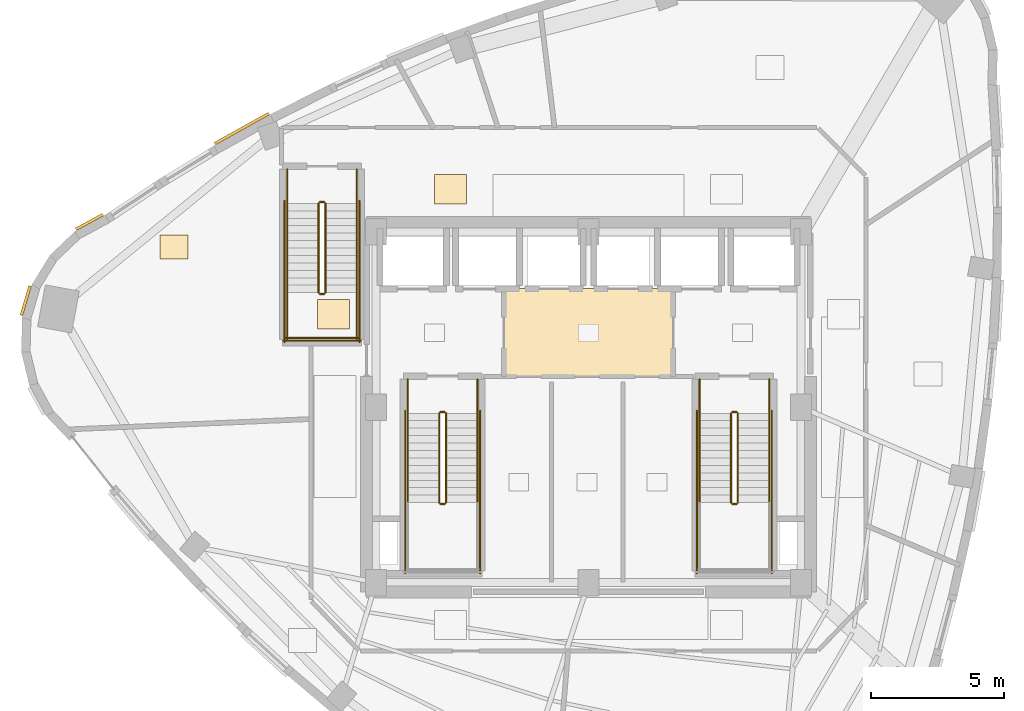
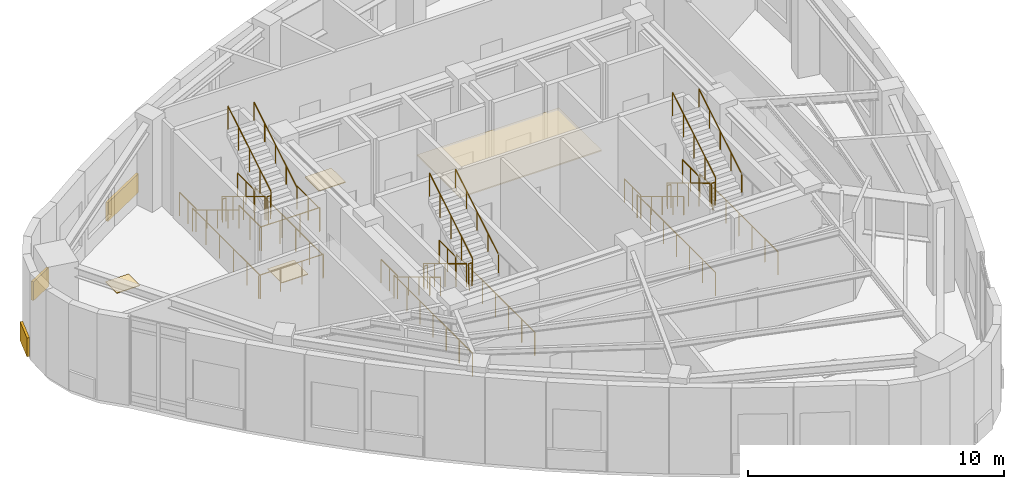
# One storey, part 13 of 14: 34 railings, 7 coverings.
"""IFC4 building model written with IfcOpenShell, lengths in metres."""

from ifc_helpers import new_model, si_unit, direction, frame, origin, origin_2d, place, context, subcontext, project, spatial, rectangle, circle, extrude, material, layer, layer_set, type_object, element, save


model = new_model("IFC4")

# Units and contexts
model_context = context("Model", 3, precision=1e-05, world=origin(), true_north=direction((0.0, 1.0)))
body_context = subcontext(model_context, "Body", "Model", "MODEL_VIEW")
ifc_project = project(units=[si_unit("LENGTHUNIT", "METRE"), si_unit("AREAUNIT", "SQUARE_METRE"), si_unit("VOLUMEUNIT", "CUBIC_METRE"), si_unit("PLANEANGLEUNIT", "RADIAN"), si_unit("MASSUNIT", "GRAM", prefix="KILO")], contexts=[model_context])

# Site, building, storey
site_placement = place(None, origin())
site = spatial("IfcSite", under=ifc_project, at=site_placement, CompositionType="ELEMENT")
building_placement = place(site_placement, origin())
building = spatial("IfcBuilding", under=site, at=building_placement, Name="Ndelora Gate Hotel", CompositionType="ELEMENT")
storey_placement = place(building_placement, frame((0.0, 0.0, 281.60009765625)))
storey = spatial("IfcBuildingStorey", under=building, at=storey_placement, Name="L70", CompositionType="ELEMENT", Elevation=281.60009765625)

# Coverings
ifc_material_1 = material(Name="Perforated Acoustic Gypsum Board", Category="gypsum")
ifc_layer_1 = layer(ifc_material_1, 0.054931640625)
ifc_layer_set_1 = layer_set([ifc_layer_1], Name="Perforated Acoustic Gypsum Board")
covering_type_1 = type_object("IfcCoveringType", Name="COV-CEIL-AC60", PredefinedType="CEILING", material=ifc_layer_set_1)
covering_1_placement = place(storey_placement, frame((0.0, 2.800048828125, 2.72265625), z_axis=(0.0, 0.0, 1.0), x_axis=(1.0, 0.0, 0.0)))
element("IfcCovering", 1, at=covering_1_placement, inside=storey, type_object=covering_type_1, Name="L70 Lift Lobby Acoustic Ceiling", PredefinedType="CEILING", context=body_context, shape_type="SweptSolid", body=[
    extrude(rectangle(XDim=6.39990234375, YDim=3.340087890625, at=origin_2d()), origin(), (0.0, 0.0, 1.0), 0.054931640625),
])
ifc_material_2 = material(Name="Terracotta Fired Clay Brick Slip Cladding", Category="masonry")
ifc_layer_2 = layer(ifc_material_2, 0.110107421875)
ifc_layer_set_2 = layer_set([ifc_layer_2], Name="Terracotta Fired Clay Brick Slip Cladding")
covering_type_2 = type_object("IfcCoveringType", Name="COV-CLAD-BRK", PredefinedType="CLADDING", material=ifc_layer_set_2)
for number, where, z_axis, x_axis, name in (
    (2, (-18.7822265625, 6.972900390625, 0.099853515625), (0.0, 0.0, 1.0), (0.878817112662, 0.47715876026, 0.0), "L70 Rounded-Corner Brick Cladding Band 1"),
    (3, (-21.1796875, 4.012451171875, 0.099853515625), (0.0, 0.0, 1.0), (0.284015344704, 0.958819734868, 0.0), "L70 Rounded-Corner Brick Cladding Band 4"),
):
    element("IfcCovering", number, at=place(storey_placement, frame(where, z_axis=z_axis, x_axis=x_axis)), inside=storey, type_object=covering_type_2, Name=name, PredefinedType="CLADDING", context=body_context, shape_type="SweptSolid", body=[
        extrude(rectangle(XDim=1.153076171875, YDim=0.110107421875, at=origin_2d()), origin(), (0.0, 0.0, 1.0), 0.89990234375),
    ])
covering_2_placement = place(storey_placement, frame((-13.046875, 10.4853515625, 0.099853515625), z_axis=(0.0, 0.0, 1.0), x_axis=(0.873941932872, 0.486030346756, 0.0)))
element("IfcCovering", 4, at=covering_2_placement, inside=storey, type_object=covering_type_2, Name="L70 Rounded-Corner Brick Cladding Band 58", PredefinedType="CLADDING", context=body_context, shape_type="SweptSolid", body=[
    extrude(rectangle(XDim=2.322021484375, YDim=0.110107421875, at=origin_2d()), origin(), (0.0, 0.0, 1.0), 0.89990234375),
])
ifc_material_3 = material(Name="Engineered Highland Oak Parquet", Category="wood")
ifc_layer_3 = layer(ifc_material_3, 0.030029296875)
ifc_layer_set_3 = layer_set([ifc_layer_3], Name="Engineered Highland Oak Parquet")
covering_type_3 = type_object("IfcCoveringType", Name="COV-FLR-PARQ", PredefinedType="FLOORING", material=ifc_layer_set_3)
covering_3_placement = place(storey_placement, frame((-15.602783203125, 6.021484375, 0.0), z_axis=(0.0, 0.0, 1.0), x_axis=(1.0, 0.0, 0.0)))
element("IfcCovering", 5, at=covering_3_placement, inside=storey, type_object=covering_type_3, Name="L70 Sky Garden Tea Dining Room Oak Parquet Flooring", PredefinedType="FLOORING", context=body_context, shape_type="SweptSolid", body=[
    extrude(rectangle(XDim=1.050048828125, YDim=0.89990234375, at=origin_2d()), origin(), (0.0, 0.0, 1.0), 0.030029296875),
])
ifc_material_4 = material(Name="Polished Highland Stone Terrazzo", Category="masonry")
ifc_layer_4 = layer(ifc_material_4, 0.034912109375)
ifc_layer_set_4 = layer_set([ifc_layer_4], Name="Polished Highland Stone Terrazzo")
covering_type_4 = type_object("IfcCoveringType", Name="COV-FLR-TERZ", PredefinedType="FLOORING", material=ifc_layer_set_4)
for number, where, z_axis, x_axis, name in (
    (6, (-5.199951171875, 8.199951171875, 0.0), (0.0, 0.0, 1.0), (1.0, 0.0, 0.0), "L70 Corridor Threshold Terrazzo Inlay NW"),
    (7, (-9.60009765625, 3.5, 0.0), (0.0, 0.0, 1.0), (1.0, 0.0, 0.0), "L70 Corridor Threshold Terrazzo Inlay W"),
):
    element("IfcCovering", number, at=place(storey_placement, frame(where, z_axis=z_axis, x_axis=x_axis)), inside=storey, type_object=covering_type_4, Name=name, PredefinedType="FLOORING", context=body_context, shape_type="SweptSolid", body=[
        extrude(rectangle(XDim=1.199951171875, YDim=1.10009765625, at=origin_2d()), origin(), (0.0, 0.0, 1.0), 0.034912109375),
    ])

# Railings
ifc_material_5 = material(Name="Painted Galvanized Steel Balustrade", Category="steel")
ifc_layer_5 = layer(ifc_material_5, 0.06005859375)
ifc_layer_set_5 = layer_set([ifc_layer_5], Name="Painted Galvanized Steel Balustrade")
railing_type_1 = type_object("IfcRailingType", Name="RL-STAIR-GD", PredefinedType="GUARDRAIL", material=ifc_layer_set_5)
railing_1_placement = place(storey_placement, frame((-5.6201171875, -0.22998046875, 0.169189453125)))
element("IfcRailing", 8, at=railing_1_placement, inside=storey, type_object=railing_type_1, Name="L70 ST4 stair guard 1", PredefinedType="GUARDRAIL", context=body_context, shape_type="SweptSolid", body=[
    extrude(circle(Radius=0.02392578125, at=origin_2d()), frame((0.0, 0.0, 1.10595703125), z_axis=(0.0, -0.855836976705, 0.517245656632), x_axis=(1.0, 0.0, 0.0)), (0.0, 0.0, 1.0), 3.926025390625),
    extrude(circle(Radius=0.02099609375, at=origin_2d()), origin(), (0.0, 0.0, 1.0), 1.081787109375),
    extrude(circle(Radius=0.02099609375, at=origin_2d()), frame((0.0, -0.840087890625, 0.5078125)), (0.0, 0.0, 1.0), 1.081787109375),
    extrude(circle(Radius=0.02099609375, at=origin_2d()), frame((0.0, -1.68017578125, 1.015380859375)), (0.0, 0.0, 1.0), 1.081787109375),
    extrude(circle(Radius=0.02099609375, at=origin_2d()), frame((0.0, -2.52001953125, 1.52294921875)), (0.0, 0.0, 1.0), 1.081787109375),
    extrude(circle(Radius=0.02099609375, at=origin_2d()), frame((0.0, -3.360107421875, 2.03076171875)), (0.0, 0.0, 1.0), 1.081787109375),
])
railing_2_placement = place(storey_placement, frame((-5.570068359375, -3.639892578125, 2.199951171875)))
element("IfcRailing", 9, at=railing_2_placement, inside=storey, type_object=railing_type_1, Name="L70 ST4 stair guard 2", PredefinedType="GUARDRAIL", context=body_context, shape_type="SweptSolid", body=[
    extrude(circle(Radius=0.02392578125, at=origin_2d()), frame((0.0, 0.0, 1.10595703125), z_axis=(1.0, 0.0, 0.0), x_axis=(0.0, 1.0, 0.0)), (0.0, 0.0, 1.0), 0.16015625),
    extrude(circle(Radius=0.02099609375, at=origin_2d()), origin(), (0.0, 0.0, 1.0), 1.081787109375),
    extrude(circle(Radius=0.02099609375, at=origin_2d()), frame((0.16015625, 0.0, 0.0)), (0.0, 0.0, 1.0), 1.081787109375),
])
railing_3_placement = place(storey_placement, frame((-5.360107421875, -3.590087890625, 2.369140625)))
element("IfcRailing", 10, at=railing_3_placement, inside=storey, type_object=railing_type_1, Name="L70 ST4 stair guard 6", PredefinedType="GUARDRAIL", context=body_context, shape_type="SweptSolid", body=[
    extrude(circle(Radius=0.02392578125, at=origin_2d()), frame((0.0, 0.0, 1.10595703125), z_axis=(0.0, 0.855836976705, 0.517245656632), x_axis=(-1.0, 0.0, 0.0)), (0.0, 0.0, 1.0), 3.926025390625),
    extrude(circle(Radius=0.02099609375, at=origin_2d()), origin(), (0.0, 0.0, 1.0), 1.081787109375),
    extrude(circle(Radius=0.02099609375, at=origin_2d()), frame((0.0, 0.840087890625, 0.5078125)), (0.0, 0.0, 1.0), 1.081787109375),
    extrude(circle(Radius=0.02099609375, at=origin_2d()), frame((0.0, 1.68017578125, 1.015380859375)), (0.0, 0.0, 1.0), 1.081787109375),
    extrude(circle(Radius=0.02099609375, at=origin_2d()), frame((0.0, 2.52001953125, 1.52294921875)), (0.0, 0.0, 1.0), 1.081787109375),
    extrude(circle(Radius=0.02099609375, at=origin_2d()), frame((0.0, 3.360107421875, 2.03076171875)), (0.0, 0.0, 1.0), 1.081787109375),
])
railing_4_placement = place(storey_placement, frame((-5.570068359375, -0.179931640625, 0.0)))
element("IfcRailing", 11, at=railing_4_placement, inside=storey, type_object=railing_type_1, Name="L70 ST4 stair guard 7", PredefinedType="GUARDRAIL", context=body_context, shape_type="SweptSolid", body=[
    extrude(circle(Radius=0.02392578125, at=origin_2d()), frame((0.0, 0.0, 1.10595703125), z_axis=(1.0, 0.0, 0.0), x_axis=(0.0, 1.0, 0.0)), (0.0, 0.0, 1.0), 0.16015625),
    extrude(circle(Radius=0.02099609375, at=origin_2d()), origin(), (0.0, 0.0, 1.0), 1.081787109375),
    extrude(circle(Radius=0.02099609375, at=origin_2d()), frame((0.16015625, 0.0, 0.0)), (0.0, 0.0, 1.0), 1.081787109375),
])
for number, where, name in (
    (12, (-6.800048828125, 1.050048828125, 0.0), "L70 ST4 stair guard 8"),
    (13, (-4.179931640625, 1.050048828125, 0.0), "L70 ST4 stair guard 9"),
):
    element("IfcRailing", number, at=place(storey_placement, frame(where)), inside=storey, type_object=railing_type_1, Name=name, PredefinedType="GUARDRAIL", context=body_context, shape_type="SweptSolid", body=[
        extrude(circle(Radius=0.02392578125, at=origin_2d()), frame((0.0, 0.0, 1.10595703125), z_axis=(0.0, -1.0, 0.0), x_axis=(1.0, 0.0, 0.0)), (0.0, 0.0, 1.0), 1.280029296875),
        extrude(circle(Radius=0.02099609375, at=origin_2d()), origin(), (0.0, 0.0, 1.0), 1.081787109375),
        extrude(circle(Radius=0.02099609375, at=origin_2d()), frame((0.0, -0.64013671875, 0.0)), (0.0, 0.0, 1.0), 1.081787109375),
        extrude(circle(Radius=0.02099609375, at=origin_2d()), frame((0.0, -1.280029296875, 0.0)), (0.0, 0.0, 1.0), 1.081787109375),
    ])
for number, where, name in (
    (14, (-6.89990234375, -0.1298828125, 0.0), "L70 ST4 stair guard 10"),
    (15, (-4.080078125, -0.1298828125, 0.0), "L70 ST4 stair guard 11"),
):
    element("IfcRailing", number, at=place(storey_placement, frame(where)), inside=storey, type_object=railing_type_1, Name=name, PredefinedType="GUARDRAIL", context=body_context, shape_type="SweptSolid", body=[
        extrude(circle(Radius=0.02392578125, at=origin_2d()), frame((0.0, 0.0, 1.10595703125), z_axis=(0.0, -1.0, 0.0), x_axis=(1.0, 0.0, 0.0)), (0.0, 0.0, 1.0), 6.1201171875),
        extrude(circle(Radius=0.02099609375, at=origin_2d()), origin(), (0.0, 0.0, 1.0), 1.081787109375),
        extrude(circle(Radius=0.02099609375, at=origin_2d()), frame((0.0, -1.02001953125, 0.0)), (0.0, 0.0, 1.0), 1.081787109375),
        extrude(circle(Radius=0.02099609375, at=origin_2d()), frame((0.0, -2.0400390625, 0.0)), (0.0, 0.0, 1.0), 1.081787109375),
        extrude(circle(Radius=0.02099609375, at=origin_2d()), frame((0.0, -3.06005859375, 0.0)), (0.0, 0.0, 1.0), 1.081787109375),
        extrude(circle(Radius=0.02099609375, at=origin_2d()), frame((0.0, -4.080078125, 0.0)), (0.0, 0.0, 1.0), 1.081787109375),
        extrude(circle(Radius=0.02099609375, at=origin_2d()), frame((0.0, -5.10009765625, 0.0)), (0.0, 0.0, 1.0), 1.081787109375),
        extrude(circle(Radius=0.02099609375, at=origin_2d()), frame((0.0, -6.1201171875, 0.0)), (0.0, 0.0, 1.0), 1.081787109375),
    ])
railing_5_placement = place(storey_placement, frame((5.360107421875, -0.22998046875, 0.169189453125)))
element("IfcRailing", 16, at=railing_5_placement, inside=storey, type_object=railing_type_1, Name="L70 ST5 stair guard 1", PredefinedType="GUARDRAIL", context=body_context, shape_type="SweptSolid", body=[
    extrude(circle(Radius=0.02392578125, at=origin_2d()), frame((0.0, 0.0, 1.10595703125), z_axis=(0.0, -0.855836976705, 0.517245656632), x_axis=(1.0, 0.0, 0.0)), (0.0, 0.0, 1.0), 3.926025390625),
    extrude(circle(Radius=0.02099609375, at=origin_2d()), origin(), (0.0, 0.0, 1.0), 1.081787109375),
    extrude(circle(Radius=0.02099609375, at=origin_2d()), frame((0.0, -0.840087890625, 0.5078125)), (0.0, 0.0, 1.0), 1.081787109375),
    extrude(circle(Radius=0.02099609375, at=origin_2d()), frame((0.0, -1.68017578125, 1.015380859375)), (0.0, 0.0, 1.0), 1.081787109375),
    extrude(circle(Radius=0.02099609375, at=origin_2d()), frame((0.0, -2.52001953125, 1.52294921875)), (0.0, 0.0, 1.0), 1.081787109375),
    extrude(circle(Radius=0.02099609375, at=origin_2d()), frame((0.0, -3.360107421875, 2.03076171875)), (0.0, 0.0, 1.0), 1.081787109375),
])
railing_6_placement = place(storey_placement, frame((5.409912109375, -3.639892578125, 2.199951171875)))
element("IfcRailing", 17, at=railing_6_placement, inside=storey, type_object=railing_type_1, Name="L70 ST5 stair guard 2", PredefinedType="GUARDRAIL", context=body_context, shape_type="SweptSolid", body=[
    extrude(circle(Radius=0.02392578125, at=origin_2d()), frame((0.0, 0.0, 1.10595703125), z_axis=(1.0, 0.0, 0.0), x_axis=(0.0, 1.0, 0.0)), (0.0, 0.0, 1.0), 0.16015625),
    extrude(circle(Radius=0.02099609375, at=origin_2d()), origin(), (0.0, 0.0, 1.0), 1.081787109375),
    extrude(circle(Radius=0.02099609375, at=origin_2d()), frame((0.16015625, 0.0, 0.0)), (0.0, 0.0, 1.0), 1.081787109375),
])
railing_7_placement = place(storey_placement, frame((5.6201171875, -3.590087890625, 2.369140625)))
element("IfcRailing", 18, at=railing_7_placement, inside=storey, type_object=railing_type_1, Name="L70 ST5 stair guard 6", PredefinedType="GUARDRAIL", context=body_context, shape_type="SweptSolid", body=[
    extrude(circle(Radius=0.02392578125, at=origin_2d()), frame((0.0, 0.0, 1.10595703125), z_axis=(0.0, 0.855836976705, 0.517245656632), x_axis=(-1.0, 0.0, 0.0)), (0.0, 0.0, 1.0), 3.926025390625),
    extrude(circle(Radius=0.02099609375, at=origin_2d()), origin(), (0.0, 0.0, 1.0), 1.081787109375),
    extrude(circle(Radius=0.02099609375, at=origin_2d()), frame((0.0, 0.840087890625, 0.5078125)), (0.0, 0.0, 1.0), 1.081787109375),
    extrude(circle(Radius=0.02099609375, at=origin_2d()), frame((0.0, 1.68017578125, 1.015380859375)), (0.0, 0.0, 1.0), 1.081787109375),
    extrude(circle(Radius=0.02099609375, at=origin_2d()), frame((0.0, 2.52001953125, 1.52294921875)), (0.0, 0.0, 1.0), 1.081787109375),
    extrude(circle(Radius=0.02099609375, at=origin_2d()), frame((0.0, 3.360107421875, 2.03076171875)), (0.0, 0.0, 1.0), 1.081787109375),
])
railing_8_placement = place(storey_placement, frame((5.409912109375, -0.179931640625, 0.0)))
element("IfcRailing", 19, at=railing_8_placement, inside=storey, type_object=railing_type_1, Name="L70 ST5 stair guard 7", PredefinedType="GUARDRAIL", context=body_context, shape_type="SweptSolid", body=[
    extrude(circle(Radius=0.02392578125, at=origin_2d()), frame((0.0, 0.0, 1.10595703125), z_axis=(1.0, 0.0, 0.0), x_axis=(0.0, 1.0, 0.0)), (0.0, 0.0, 1.0), 0.16015625),
    extrude(circle(Radius=0.02099609375, at=origin_2d()), origin(), (0.0, 0.0, 1.0), 1.081787109375),
    extrude(circle(Radius=0.02099609375, at=origin_2d()), frame((0.16015625, 0.0, 0.0)), (0.0, 0.0, 1.0), 1.081787109375),
])
for number, where, name in (
    (20, (4.179931640625, 1.050048828125, 0.0), "L70 ST5 stair guard 8"),
    (21, (6.800048828125, 1.050048828125, 0.0), "L70 ST5 stair guard 9"),
):
    element("IfcRailing", number, at=place(storey_placement, frame(where)), inside=storey, type_object=railing_type_1, Name=name, PredefinedType="GUARDRAIL", context=body_context, shape_type="SweptSolid", body=[
        extrude(circle(Radius=0.02392578125, at=origin_2d()), frame((0.0, 0.0, 1.10595703125), z_axis=(0.0, -1.0, 0.0), x_axis=(1.0, 0.0, 0.0)), (0.0, 0.0, 1.0), 1.280029296875),
        extrude(circle(Radius=0.02099609375, at=origin_2d()), origin(), (0.0, 0.0, 1.0), 1.081787109375),
        extrude(circle(Radius=0.02099609375, at=origin_2d()), frame((0.0, -0.64013671875, 0.0)), (0.0, 0.0, 1.0), 1.081787109375),
        extrude(circle(Radius=0.02099609375, at=origin_2d()), frame((0.0, -1.280029296875, 0.0)), (0.0, 0.0, 1.0), 1.081787109375),
    ])
for number, where, name in (
    (22, (4.080078125, -0.1298828125, 0.0), "L70 ST5 stair guard 10"),
    (23, (6.89990234375, -0.1298828125, 0.0), "L70 ST5 stair guard 11"),
):
    element("IfcRailing", number, at=place(storey_placement, frame(where)), inside=storey, type_object=railing_type_1, Name=name, PredefinedType="GUARDRAIL", context=body_context, shape_type="SweptSolid", body=[
        extrude(circle(Radius=0.02392578125, at=origin_2d()), frame((0.0, 0.0, 1.10595703125), z_axis=(0.0, -1.0, 0.0), x_axis=(1.0, 0.0, 0.0)), (0.0, 0.0, 1.0), 6.1201171875),
        extrude(circle(Radius=0.02099609375, at=origin_2d()), origin(), (0.0, 0.0, 1.0), 1.081787109375),
        extrude(circle(Radius=0.02099609375, at=origin_2d()), frame((0.0, -1.02001953125, 0.0)), (0.0, 0.0, 1.0), 1.081787109375),
        extrude(circle(Radius=0.02099609375, at=origin_2d()), frame((0.0, -2.0400390625, 0.0)), (0.0, 0.0, 1.0), 1.081787109375),
        extrude(circle(Radius=0.02099609375, at=origin_2d()), frame((0.0, -3.06005859375, 0.0)), (0.0, 0.0, 1.0), 1.081787109375),
        extrude(circle(Radius=0.02099609375, at=origin_2d()), frame((0.0, -4.080078125, 0.0)), (0.0, 0.0, 1.0), 1.081787109375),
        extrude(circle(Radius=0.02099609375, at=origin_2d()), frame((0.0, -5.10009765625, 0.0)), (0.0, 0.0, 1.0), 1.081787109375),
        extrude(circle(Radius=0.02099609375, at=origin_2d()), frame((0.0, -6.1201171875, 0.0)), (0.0, 0.0, 1.0), 1.081787109375),
    ])
railing_9_placement = place(storey_placement, frame((-10.159912109375, 7.669921875, 0.169189453125)))
element("IfcRailing", 24, at=railing_9_placement, inside=storey, type_object=railing_type_1, Name="L70 ST6 stair guard 1", PredefinedType="GUARDRAIL", context=body_context, shape_type="SweptSolid", body=[
    extrude(circle(Radius=0.02392578125, at=origin_2d()), frame((0.0, 0.0, 1.10595703125), z_axis=(0.0, -0.855820338506, 0.51727318527), x_axis=(1.0, 0.0, 0.0)), (0.0, 0.0, 1.0), 3.92578125),
    extrude(circle(Radius=0.02099609375, at=origin_2d()), origin(), (0.0, 0.0, 1.0), 1.081787109375),
    extrude(circle(Radius=0.02099609375, at=origin_2d()), frame((0.0, -0.83984375, 0.5078125)), (0.0, 0.0, 1.0), 1.081787109375),
    extrude(circle(Radius=0.02099609375, at=origin_2d()), frame((0.0, -1.679931640625, 1.015380859375)), (0.0, 0.0, 1.0), 1.081787109375),
    extrude(circle(Radius=0.02099609375, at=origin_2d()), frame((0.0, -2.52001953125, 1.52294921875)), (0.0, 0.0, 1.0), 1.081787109375),
    extrude(circle(Radius=0.02099609375, at=origin_2d()), frame((0.0, -3.35986328125, 2.03076171875)), (0.0, 0.0, 1.0), 1.081787109375),
])
railing_10_placement = place(storey_placement, frame((-10.110107421875, 4.260009765625, 2.199951171875)))
element("IfcRailing", 25, at=railing_10_placement, inside=storey, type_object=railing_type_1, Name="L70 ST6 stair guard 2", PredefinedType="GUARDRAIL", context=body_context, shape_type="SweptSolid", body=[
    extrude(circle(Radius=0.02392578125, at=origin_2d()), frame((0.0, 0.0, 1.10595703125), z_axis=(1.0, 0.0, 0.0), x_axis=(0.0, 1.0, 0.0)), (0.0, 0.0, 1.0), 0.16015625),
    extrude(circle(Radius=0.02099609375, at=origin_2d()), origin(), (0.0, 0.0, 1.0), 1.081787109375),
    extrude(circle(Radius=0.02099609375, at=origin_2d()), frame((0.16015625, 0.0, 0.0)), (0.0, 0.0, 1.0), 1.081787109375),
])
for number, where, name in (
    (26, (-11.340087890625, 4.31005859375, 2.199951171875), "L70 ST6 stair guard 3"),
    (27, (-8.719970703125, 4.31005859375, 2.199951171875), "L70 ST6 stair guard 4"),
):
    element("IfcRailing", number, at=place(storey_placement, frame(where)), inside=storey, type_object=railing_type_1, Name=name, PredefinedType="GUARDRAIL", context=body_context, shape_type="SweptSolid", body=[
        extrude(circle(Radius=0.02392578125, at=origin_2d()), frame((0.0, 0.0, 1.10595703125), z_axis=(0.0, -1.0, 0.0), x_axis=(1.0, 0.0, 0.0)), (0.0, 0.0, 1.0), 1.760009765625),
        extrude(circle(Radius=0.02099609375, at=origin_2d()), origin(), (0.0, 0.0, 1.0), 1.081787109375),
        extrude(circle(Radius=0.02099609375, at=origin_2d()), frame((0.0, -0.8798828125, 0.0)), (0.0, 0.0, 1.0), 1.081787109375),
        extrude(circle(Radius=0.02099609375, at=origin_2d()), frame((0.0, -1.760009765625, 0.0)), (0.0, 0.0, 1.0), 1.081787109375),
    ])
railing_11_placement = place(storey_placement, frame((-11.389892578125, 2.60009765625, 2.199951171875)))
element("IfcRailing", 28, at=railing_11_placement, inside=storey, type_object=railing_type_1, Name="L70 ST6 stair guard 5", PredefinedType="GUARDRAIL", context=body_context, shape_type="SweptSolid", body=[
    extrude(circle(Radius=0.02392578125, at=origin_2d()), frame((0.0, 0.0, 1.10595703125), z_axis=(1.0, 0.0, 0.0), x_axis=(0.0, 1.0, 0.0)), (0.0, 0.0, 1.0), 2.719970703125),
    extrude(circle(Radius=0.02099609375, at=origin_2d()), origin(), (0.0, 0.0, 1.0), 1.081787109375),
    extrude(circle(Radius=0.02099609375, at=origin_2d()), frame((0.90673828125, 0.0, 0.0)), (0.0, 0.0, 1.0), 1.081787109375),
    extrude(circle(Radius=0.02099609375, at=origin_2d()), frame((1.813232421875, 0.0, 0.0)), (0.0, 0.0, 1.0), 1.081787109375),
    extrude(circle(Radius=0.02099609375, at=origin_2d()), frame((2.719970703125, 0.0, 0.0)), (0.0, 0.0, 1.0), 1.081787109375),
])
railing_12_placement = place(storey_placement, frame((-9.89990234375, 4.31005859375, 2.369140625)))
element("IfcRailing", 29, at=railing_12_placement, inside=storey, type_object=railing_type_1, Name="L70 ST6 stair guard 6", PredefinedType="GUARDRAIL", context=body_context, shape_type="SweptSolid", body=[
    extrude(circle(Radius=0.02392578125, at=origin_2d()), frame((0.0, 0.0, 1.10595703125), z_axis=(0.0, 0.855820338506, 0.51727318527), x_axis=(-1.0, 0.0, 0.0)), (0.0, 0.0, 1.0), 3.92578125),
    extrude(circle(Radius=0.02099609375, at=origin_2d()), origin(), (0.0, 0.0, 1.0), 1.081787109375),
    extrude(circle(Radius=0.02099609375, at=origin_2d()), frame((0.0, 0.83984375, 0.5078125)), (0.0, 0.0, 1.0), 1.081787109375),
    extrude(circle(Radius=0.02099609375, at=origin_2d()), frame((0.0, 1.679931640625, 1.015380859375)), (0.0, 0.0, 1.0), 1.081787109375),
    extrude(circle(Radius=0.02099609375, at=origin_2d()), frame((0.0, 2.52001953125, 1.52294921875)), (0.0, 0.0, 1.0), 1.081787109375),
    extrude(circle(Radius=0.02099609375, at=origin_2d()), frame((0.0, 3.35986328125, 2.03076171875)), (0.0, 0.0, 1.0), 1.081787109375),
])
railing_13_placement = place(storey_placement, frame((-10.110107421875, 7.719970703125, 0.0)))
element("IfcRailing", 30, at=railing_13_placement, inside=storey, type_object=railing_type_1, Name="L70 ST6 stair guard 7", PredefinedType="GUARDRAIL", context=body_context, shape_type="SweptSolid", body=[
    extrude(circle(Radius=0.02392578125, at=origin_2d()), frame((0.0, 0.0, 1.10595703125), z_axis=(1.0, 0.0, 0.0), x_axis=(0.0, 1.0, 0.0)), (0.0, 0.0, 1.0), 0.16015625),
    extrude(circle(Radius=0.02099609375, at=origin_2d()), origin(), (0.0, 0.0, 1.0), 1.081787109375),
    extrude(circle(Radius=0.02099609375, at=origin_2d()), frame((0.16015625, 0.0, 0.0)), (0.0, 0.0, 1.0), 1.081787109375),
])
for number, where, name in (
    (31, (-11.340087890625, 8.949951171875, 0.0), "L70 ST6 stair guard 8"),
    (32, (-8.719970703125, 8.949951171875, 0.0), "L70 ST6 stair guard 9"),
):
    element("IfcRailing", number, at=place(storey_placement, frame(where)), inside=storey, type_object=railing_type_1, Name=name, PredefinedType="GUARDRAIL", context=body_context, shape_type="SweptSolid", body=[
        extrude(circle(Radius=0.02392578125, at=origin_2d()), frame((0.0, 0.0, 1.10595703125), z_axis=(0.0, -1.0, 0.0), x_axis=(1.0, 0.0, 0.0)), (0.0, 0.0, 1.0), 1.280029296875),
        extrude(circle(Radius=0.02099609375, at=origin_2d()), origin(), (0.0, 0.0, 1.0), 1.081787109375),
        extrude(circle(Radius=0.02099609375, at=origin_2d()), frame((0.0, -0.64013671875, 0.0)), (0.0, 0.0, 1.0), 1.081787109375),
        extrude(circle(Radius=0.02099609375, at=origin_2d()), frame((0.0, -1.280029296875, 0.0)), (0.0, 0.0, 1.0), 1.081787109375),
    ])
for number, where, name in (
    (33, (-11.43994140625, 7.77001953125, 0.0), "L70 ST6 stair guard 10"),
    (34, (-8.6201171875, 7.77001953125, 0.0), "L70 ST6 stair guard 11"),
):
    element("IfcRailing", number, at=place(storey_placement, frame(where)), inside=storey, type_object=railing_type_1, Name=name, PredefinedType="GUARDRAIL", context=body_context, shape_type="SweptSolid", body=[
        extrude(circle(Radius=0.02392578125, at=origin_2d()), frame((0.0, 0.0, 1.10595703125), z_axis=(0.0, -1.0, 0.0), x_axis=(1.0, 0.0, 0.0)), (0.0, 0.0, 1.0), 5.320068359375),
        extrude(circle(Radius=0.02099609375, at=origin_2d()), origin(), (0.0, 0.0, 1.0), 1.081787109375),
        extrude(circle(Radius=0.02099609375, at=origin_2d()), frame((0.0, -1.06396484375, 0.0)), (0.0, 0.0, 1.0), 1.081787109375),
        extrude(circle(Radius=0.02099609375, at=origin_2d()), frame((0.0, -2.1279296875, 0.0)), (0.0, 0.0, 1.0), 1.081787109375),
        extrude(circle(Radius=0.02099609375, at=origin_2d()), frame((0.0, -3.192138671875, 0.0)), (0.0, 0.0, 1.0), 1.081787109375),
        extrude(circle(Radius=0.02099609375, at=origin_2d()), frame((0.0, -4.256103515625, 0.0)), (0.0, 0.0, 1.0), 1.081787109375),
        extrude(circle(Radius=0.02099609375, at=origin_2d()), frame((0.0, -5.320068359375, 0.0)), (0.0, 0.0, 1.0), 1.081787109375),
    ])
railing_14_placement = place(storey_placement, frame((-11.489990234375, 2.5, 0.0)))
element("IfcRailing", 35, at=railing_14_placement, inside=storey, type_object=railing_type_1, Name="L70 ST6 stair guard 12", PredefinedType="GUARDRAIL", context=body_context, shape_type="SweptSolid", body=[
    extrude(circle(Radius=0.02392578125, at=origin_2d()), frame((0.0, 0.0, 1.10595703125), z_axis=(1.0, 0.0, 0.0), x_axis=(0.0, 1.0, 0.0)), (0.0, 0.0, 1.0), 2.919921875),
    extrude(circle(Radius=0.02099609375, at=origin_2d()), origin(), (0.0, 0.0, 1.0), 1.081787109375),
    extrude(circle(Radius=0.02099609375, at=origin_2d()), frame((0.973388671875, 0.0, 0.0)), (0.0, 0.0, 1.0), 1.081787109375),
    extrude(circle(Radius=0.02099609375, at=origin_2d()), frame((1.946533203125, 0.0, 0.0)), (0.0, 0.0, 1.0), 1.081787109375),
    extrude(circle(Radius=0.02099609375, at=origin_2d()), frame((2.919921875, 0.0, 0.0)), (0.0, 0.0, 1.0), 1.081787109375),
])
ifc_material_6 = material(Name="Brushed Stainless Steel 316", Category="steel")
ifc_layer_6 = layer(ifc_material_6, 0.050048828125)
ifc_layer_set_6 = layer_set([ifc_layer_6], Name="Brushed Stainless Steel 316")
railing_type_2 = type_object("IfcRailingType", Name="RL-STAIR-HR", PredefinedType="HANDRAIL", material=ifc_layer_set_6)
railing_15_placement = place(storey_placement, frame((-6.800048828125, -0.22998046875, 0.169189453125)))
element("IfcRailing", 36, at=railing_15_placement, inside=storey, type_object=railing_type_2, Name="L70 ST4 stair handrail 1", PredefinedType="HANDRAIL", context=body_context, shape_type="SweptSolid", body=[
    extrude(circle(Radius=0.02392578125, at=origin_2d()), frame((0.0, 0.0, 0.8759765625), z_axis=(0.0, -0.855836976705, 0.517245656632), x_axis=(1.0, 0.0, 0.0)), (0.0, 0.0, 1.0), 3.926025390625),
    extrude(circle(Radius=0.02099609375, at=origin_2d()), origin(), (0.0, 0.0, 1.0), 0.851806640625),
    extrude(circle(Radius=0.02099609375, at=origin_2d()), frame((0.0, -0.840087890625, 0.5078125)), (0.0, 0.0, 1.0), 0.851806640625),
    extrude(circle(Radius=0.02099609375, at=origin_2d()), frame((0.0, -1.68017578125, 1.015380859375)), (0.0, 0.0, 1.0), 0.851806640625),
    extrude(circle(Radius=0.02099609375, at=origin_2d()), frame((0.0, -2.52001953125, 1.52294921875)), (0.0, 0.0, 1.0), 0.851806640625),
    extrude(circle(Radius=0.02099609375, at=origin_2d()), frame((0.0, -3.360107421875, 2.03076171875)), (0.0, 0.0, 1.0), 0.851806640625),
])
railing_16_placement = place(storey_placement, frame((-4.179931640625, -3.590087890625, 2.369140625)))
element("IfcRailing", 37, at=railing_16_placement, inside=storey, type_object=railing_type_2, Name="L70 ST4 stair handrail 2", PredefinedType="HANDRAIL", context=body_context, shape_type="SweptSolid", body=[
    extrude(circle(Radius=0.02392578125, at=origin_2d()), frame((0.0, 0.0, 0.8759765625), z_axis=(0.0, 0.855836976705, 0.517245656632), x_axis=(-1.0, 0.0, 0.0)), (0.0, 0.0, 1.0), 3.926025390625),
    extrude(circle(Radius=0.02099609375, at=origin_2d()), origin(), (0.0, 0.0, 1.0), 0.851806640625),
    extrude(circle(Radius=0.02099609375, at=origin_2d()), frame((0.0, 0.840087890625, 0.5078125)), (0.0, 0.0, 1.0), 0.851806640625),
    extrude(circle(Radius=0.02099609375, at=origin_2d()), frame((0.0, 1.68017578125, 1.015380859375)), (0.0, 0.0, 1.0), 0.851806640625),
    extrude(circle(Radius=0.02099609375, at=origin_2d()), frame((0.0, 2.52001953125, 1.52294921875)), (0.0, 0.0, 1.0), 0.851806640625),
    extrude(circle(Radius=0.02099609375, at=origin_2d()), frame((0.0, 3.360107421875, 2.03076171875)), (0.0, 0.0, 1.0), 0.851806640625),
])
railing_17_placement = place(storey_placement, frame((4.179931640625, -0.22998046875, 0.169189453125)))
element("IfcRailing", 38, at=railing_17_placement, inside=storey, type_object=railing_type_2, Name="L70 ST5 stair handrail 1", PredefinedType="HANDRAIL", context=body_context, shape_type="SweptSolid", body=[
    extrude(circle(Radius=0.02392578125, at=origin_2d()), frame((0.0, 0.0, 0.8759765625), z_axis=(0.0, -0.855836976705, 0.517245656632), x_axis=(1.0, 0.0, 0.0)), (0.0, 0.0, 1.0), 3.926025390625),
    extrude(circle(Radius=0.02099609375, at=origin_2d()), origin(), (0.0, 0.0, 1.0), 0.851806640625),
    extrude(circle(Radius=0.02099609375, at=origin_2d()), frame((0.0, -0.840087890625, 0.5078125)), (0.0, 0.0, 1.0), 0.851806640625),
    extrude(circle(Radius=0.02099609375, at=origin_2d()), frame((0.0, -1.68017578125, 1.015380859375)), (0.0, 0.0, 1.0), 0.851806640625),
    extrude(circle(Radius=0.02099609375, at=origin_2d()), frame((0.0, -2.52001953125, 1.52294921875)), (0.0, 0.0, 1.0), 0.851806640625),
    extrude(circle(Radius=0.02099609375, at=origin_2d()), frame((0.0, -3.360107421875, 2.03076171875)), (0.0, 0.0, 1.0), 0.851806640625),
])
railing_18_placement = place(storey_placement, frame((6.800048828125, -3.590087890625, 2.369140625)))
element("IfcRailing", 39, at=railing_18_placement, inside=storey, type_object=railing_type_2, Name="L70 ST5 stair handrail 2", PredefinedType="HANDRAIL", context=body_context, shape_type="SweptSolid", body=[
    extrude(circle(Radius=0.02392578125, at=origin_2d()), frame((0.0, 0.0, 0.8759765625), z_axis=(0.0, 0.855836976705, 0.517245656632), x_axis=(-1.0, 0.0, 0.0)), (0.0, 0.0, 1.0), 3.926025390625),
    extrude(circle(Radius=0.02099609375, at=origin_2d()), origin(), (0.0, 0.0, 1.0), 0.851806640625),
    extrude(circle(Radius=0.02099609375, at=origin_2d()), frame((0.0, 0.840087890625, 0.5078125)), (0.0, 0.0, 1.0), 0.851806640625),
    extrude(circle(Radius=0.02099609375, at=origin_2d()), frame((0.0, 1.68017578125, 1.015380859375)), (0.0, 0.0, 1.0), 0.851806640625),
    extrude(circle(Radius=0.02099609375, at=origin_2d()), frame((0.0, 2.52001953125, 1.52294921875)), (0.0, 0.0, 1.0), 0.851806640625),
    extrude(circle(Radius=0.02099609375, at=origin_2d()), frame((0.0, 3.360107421875, 2.03076171875)), (0.0, 0.0, 1.0), 0.851806640625),
])
railing_19_placement = place(storey_placement, frame((-11.340087890625, 7.669921875, 0.169189453125)))
element("IfcRailing", 40, at=railing_19_placement, inside=storey, type_object=railing_type_2, Name="L70 ST6 stair handrail 1", PredefinedType="HANDRAIL", context=body_context, shape_type="SweptSolid", body=[
    extrude(circle(Radius=0.02392578125, at=origin_2d()), frame((0.0, 0.0, 0.8759765625), z_axis=(0.0, -0.855820338506, 0.51727318527), x_axis=(1.0, 0.0, 0.0)), (0.0, 0.0, 1.0), 3.92578125),
    extrude(circle(Radius=0.02099609375, at=origin_2d()), origin(), (0.0, 0.0, 1.0), 0.851806640625),
    extrude(circle(Radius=0.02099609375, at=origin_2d()), frame((0.0, -0.83984375, 0.5078125)), (0.0, 0.0, 1.0), 0.851806640625),
    extrude(circle(Radius=0.02099609375, at=origin_2d()), frame((0.0, -1.679931640625, 1.015380859375)), (0.0, 0.0, 1.0), 0.851806640625),
    extrude(circle(Radius=0.02099609375, at=origin_2d()), frame((0.0, -2.52001953125, 1.52294921875)), (0.0, 0.0, 1.0), 0.851806640625),
    extrude(circle(Radius=0.02099609375, at=origin_2d()), frame((0.0, -3.35986328125, 2.03076171875)), (0.0, 0.0, 1.0), 0.851806640625),
])
railing_20_placement = place(storey_placement, frame((-8.719970703125, 4.31005859375, 2.369140625)))
element("IfcRailing", 41, at=railing_20_placement, inside=storey, type_object=railing_type_2, Name="L70 ST6 stair handrail 2", PredefinedType="HANDRAIL", context=body_context, shape_type="SweptSolid", body=[
    extrude(circle(Radius=0.02392578125, at=origin_2d()), frame((0.0, 0.0, 0.8759765625), z_axis=(0.0, 0.855820338506, 0.51727318527), x_axis=(-1.0, 0.0, 0.0)), (0.0, 0.0, 1.0), 3.92578125),
    extrude(circle(Radius=0.02099609375, at=origin_2d()), origin(), (0.0, 0.0, 1.0), 0.851806640625),
    extrude(circle(Radius=0.02099609375, at=origin_2d()), frame((0.0, 0.83984375, 0.5078125)), (0.0, 0.0, 1.0), 0.851806640625),
    extrude(circle(Radius=0.02099609375, at=origin_2d()), frame((0.0, 1.679931640625, 1.015380859375)), (0.0, 0.0, 1.0), 0.851806640625),
    extrude(circle(Radius=0.02099609375, at=origin_2d()), frame((0.0, 2.52001953125, 1.52294921875)), (0.0, 0.0, 1.0), 0.851806640625),
    extrude(circle(Radius=0.02099609375, at=origin_2d()), frame((0.0, 3.35986328125, 2.03076171875)), (0.0, 0.0, 1.0), 0.851806640625),
])

save(model, "model.ifc")
